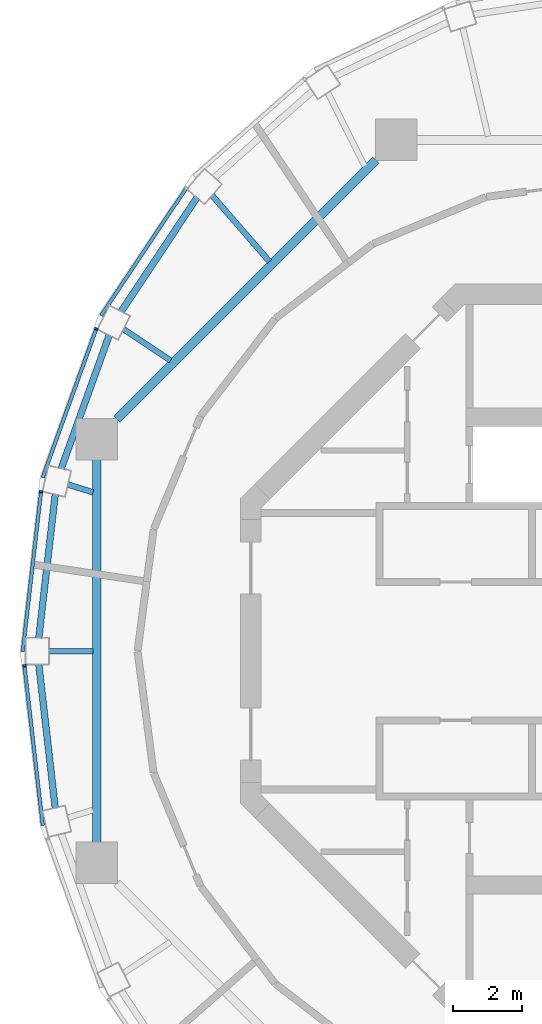
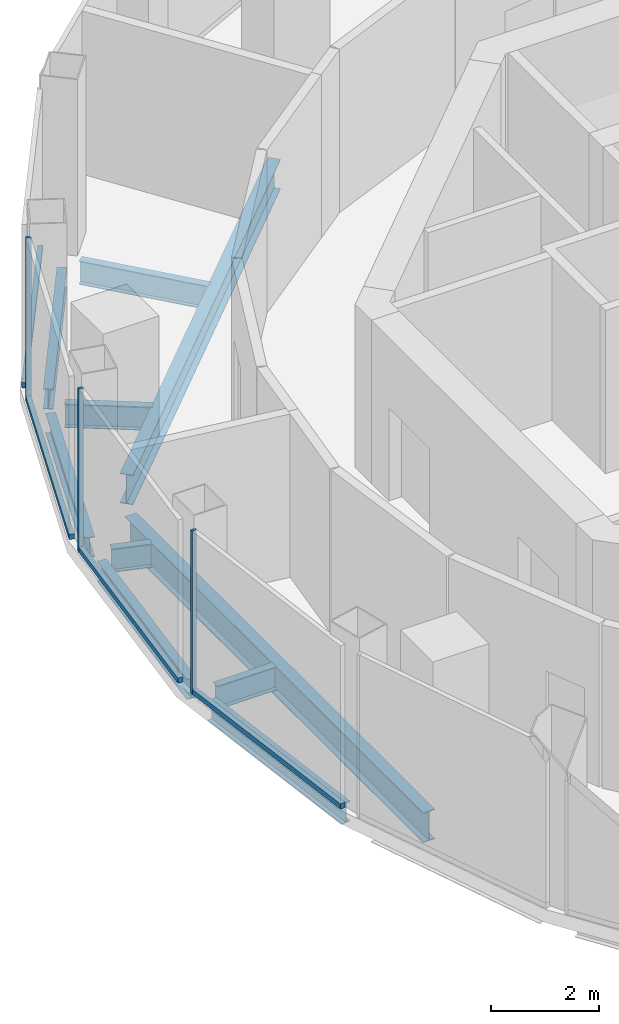
# One storey, part 4 of 12: 10 beams, 7 members, 4 elements without a shape of their own.
"""IFC4 building model written with IfcOpenShell, lengths in metres."""

from ifc_helpers import new_model, si_unit, direction, frame, origin, origin_2d, place, context, subcontext, project, spatial, rectangle, i_section, extrude, material, layer, layer_set, material_profile, profile_set, type_object, element, aggregate, save


model = new_model("IFC4")

# Units and contexts
model_context = context("Model", 3, precision=1e-05, world=origin(), true_north=direction((0.0, 1.0)))
body_context = subcontext(model_context, "Body", "Model", "MODEL_VIEW")
ifc_project = project(units=[si_unit("LENGTHUNIT", "METRE"), si_unit("AREAUNIT", "SQUARE_METRE"), si_unit("VOLUMEUNIT", "CUBIC_METRE"), si_unit("PLANEANGLEUNIT", "RADIAN"), si_unit("MASSUNIT", "GRAM", prefix="KILO")], contexts=[model_context])

# Site, building, storey
site_placement = place(None, origin())
site = spatial("IfcSite", under=ifc_project, at=site_placement, CompositionType="ELEMENT")
building_placement = place(site_placement, origin())
building = spatial("IfcBuilding", under=site, at=building_placement, Name="Nagisa Residences", CompositionType="ELEMENT")
storey_placement = place(building_placement, frame((0.0, 0.0, 328.89990234375)))
storey = spatial("IfcBuildingStorey", under=building, at=storey_placement, Name="L81", CompositionType="ELEMENT", Elevation=328.89990234375)

# Curtain wall, member
ifc_material_1 = material(Name="Aluminium curtain wall system", Category="aluminium")
ifc_layer = layer(ifc_material_1, 0.159912109375)
ifc_layer_set = layer_set([ifc_layer], Name="CW5 CURTAIN WALL")
curtain_wall_type = type_object("IfcCurtainWallType", Name="CW5 CURTAIN WALL", PredefinedType="NOTDEFINED", material=ifc_layer_set)
curtain_wall_1_placement = place(storey_placement, origin())
curtain_wall_1 = element("IfcCurtainWall", 1, at=curtain_wall_1_placement, inside=storey, type_object=curtain_wall_type, Name="cw:CW5:L81:10", PredefinedType="NOTDEFINED")
ifc_material_2 = material(Name="Aluminium", Category="aluminium")
ifc_material_profile_1 = material_profile(ifc_material_2, rectangle(XDim=0.10009765625, YDim=0.06005859375, at=origin_2d()), Name="CW5 MULLION 100x60")
ifc_profile_set_1 = profile_set([ifc_material_profile_1], Name="Aluminium")
member_type_1 = type_object("IfcMemberType", Name="CW5 MULLION 100x60", PredefinedType="MULLION", material=ifc_profile_set_1)
member_1_placement = place(storey_placement, frame((-14.793212890625, 9.318359375, 0.0), z_axis=(0.0, 0.0, 1.0), x_axis=(0.940554456033, -0.339642923136, 0.0)))
member_1 = element("IfcMember", 2, at=member_1_placement, type_object=member_type_1, Name="CW5 mullion", PredefinedType="MULLION", context=body_context, shape_type="SweptSolid", body=[
    extrude(rectangle(XDim=0.10009765625, YDim=0.06005859375, at=origin_2d()), origin(), (0.0, 0.0, 1.0), 3.7001953125),
])

curtain_wall_2_placement = place(storey_placement, origin())
curtain_wall_2 = element("IfcCurtainWall", 3, at=curtain_wall_2_placement, inside=storey, type_object=curtain_wall_type, Name="cw:CW5:L81:11", PredefinedType="NOTDEFINED")
member_2_placement = place(storey_placement, frame((-16.390380859375, 4.610595703125, 0.0), z_axis=(0.0, 0.0, 1.0), x_axis=(0.993477835048, -0.114025397474, 0.0)))
member_2 = element("IfcMember", 4, at=member_2_placement, type_object=member_type_1, Name="CW5 mullion", PredefinedType="MULLION", context=body_context, shape_type="SweptSolid", body=[
    extrude(rectangle(XDim=0.10009765625, YDim=0.06005859375, at=origin_2d()), origin(), (0.0, 0.0, 1.0), 3.7001953125),
])

curtain_wall_3_placement = place(storey_placement, origin())
curtain_wall_3 = element("IfcCurtainWall", 5, at=curtain_wall_3_placement, inside=storey, type_object=curtain_wall_type, Name="cw:CW5:L81:12", PredefinedType="NOTDEFINED")
member_3_placement = place(storey_placement, frame((-16.87158203125, -0.41796875, 0.0), z_axis=(0.0, 0.0, 1.0), x_axis=(0.993477835048, 0.114025397474, 0.0)))
member_3 = element("IfcMember", 6, at=member_3_placement, type_object=member_type_1, Name="CW5 mullion", PredefinedType="MULLION", context=body_context, shape_type="SweptSolid", body=[
    extrude(rectangle(XDim=0.10009765625, YDim=0.06005859375, at=origin_2d()), origin(), (0.0, 0.0, 1.0), 3.7001953125),
])

curtain_wall_4_placement = place(storey_placement, origin())
curtain_wall_4 = element("IfcCurtainWall", 7, at=curtain_wall_4_placement, inside=storey, type_object=curtain_wall_type, Name="cw:CW5:L81:09", PredefinedType="NOTDEFINED")
ifc_material_3 = material(Name="Aluminium", Category="aluminium")
ifc_material_profile_2 = material_profile(ifc_material_3, rectangle(XDim=0.10009765625, YDim=0.1201171875, at=origin_2d()), Name="CW5 TRANSOM 100x120")
ifc_profile_set_2 = profile_set([ifc_material_profile_2], Name="Aluminium")
member_type_2 = type_object("IfcMemberType", Name="CW5 TRANSOM 100x120", PredefinedType="USERDEFINED", material=ifc_profile_set_2)
member_4_placement = place(storey_placement, frame((-12.1767578125, 13.41162109375, 0.06005859375), z_axis=(-0.556026221044, -0.831164749921, 0.0), x_axis=(0.831164749921, -0.556026221044, 0.0)))
member_4 = element("IfcMember", 8, at=member_4_placement, type_object=member_type_2, Name="CW5 transom", ObjectType="TRANSOM", PredefinedType="USERDEFINED", context=body_context, shape_type="SweptSolid", body=[
    extrude(rectangle(XDim=0.10009765625, YDim=0.1201171875, at=origin_2d()), origin(), (0.0, 0.0, 1.0), 4.458984375),
])
aggregate(curtain_wall_4, [member_4])

# Member
member_5_placement = place(storey_placement, frame((-14.782958984375, 9.3466796875, 0.06005859375), z_axis=(-0.339645767878, -0.940553428766, 0.0), x_axis=(0.940553428766, -0.339645767878, 0.0)))
member_5 = element("IfcMember", 9, at=member_5_placement, type_object=member_type_2, Name="CW5 transom", ObjectType="TRANSOM", PredefinedType="USERDEFINED", context=body_context, shape_type="SweptSolid", body=[
    extrude(rectangle(XDim=0.10009765625, YDim=0.1201171875, at=origin_2d()), origin(), (0.0, 0.0, 1.0), 4.600341796875),
])

aggregate(curtain_wall_1, [member_1, member_5])

member_6_placement = place(storey_placement, frame((-16.386962890625, 4.640380859375, 0.06005859375), z_axis=(-0.11398649568, -0.993482299189, 0.0), x_axis=(0.993482299189, -0.11398649568, 0.0)))
member_6 = element("IfcMember", 10, at=member_6_placement, type_object=member_type_2, Name="CW5 transom", ObjectType="TRANSOM", PredefinedType="USERDEFINED", context=body_context, shape_type="SweptSolid", body=[
    extrude(rectangle(XDim=0.10009765625, YDim=0.1201171875, at=origin_2d()), origin(), (0.0, 0.0, 1.0), 4.679931640625),
])

aggregate(curtain_wall_2, [member_2, member_6])

member_7_placement = place(storey_placement, frame((-16.875, -0.38818359375, 0.06005859375), z_axis=(0.114032075188, -0.993477068597, 0.0), x_axis=(0.993477068597, 0.114032075188, 0.0)))
member_7 = element("IfcMember", 11, at=member_7_placement, type_object=member_type_2, Name="CW5 transom", ObjectType="TRANSOM", PredefinedType="USERDEFINED", context=body_context, shape_type="SweptSolid", body=[
    extrude(rectangle(XDim=0.10009765625, YDim=0.1201171875, at=origin_2d()), origin(), (0.0, 0.0, 1.0), 4.68017578125),
])

aggregate(curtain_wall_3, [member_3, member_7])

# Beams
ifc_material_4 = material(Name="Steel ASTM A572 Gr 50", Category="steel")
ifc_material_profile_3 = material_profile(ifc_material_4, i_section(OverallWidth=0.2529296875, OverallDepth=0.677978515625, WebThickness=0.01171875, FlangeThickness=0.016357421875, at=origin_2d()), Name="W690x125")
ifc_profile_set_3 = profile_set([ifc_material_profile_3], Name="Steel ASTM A572 Gr 50")
beam_type_1 = type_object("IfcBeamType", Name="Inner ring beam W690x125", PredefinedType="BEAM", material=ifc_profile_set_3)
beam_1_placement = place(storey_placement, frame((-6.708740234375, 14.1962890625, -0.638916015625), z_axis=(-0.707106781187, -0.707106781187, 0.0), x_axis=(0.707106781187, -0.707106781187, 0.0)))
element("IfcBeam", 12, at=beam_1_placement, inside=storey, type_object=beam_type_1, Name="beam:L81:ib3", PredefinedType="BEAM", context=body_context, shape_type="SweptSolid", body=[
    extrude(i_section(OverallWidth=0.2529296875, OverallDepth=0.677978515625, WebThickness=0.01171875, FlangeThickness=0.016357421875, at=origin_2d()), origin(), (0.0, 0.0, 1.0), 10.589111328125),
])
beam_2_placement = place(storey_placement, frame((-14.781982421875, 5.54296875, -0.638916015625), z_axis=(0.0, -1.0, 0.0), x_axis=(1.0, 0.0, 0.0)))
element("IfcBeam", 13, at=beam_2_placement, inside=storey, type_object=beam_type_1, Name="beam:L81:ib4", PredefinedType="BEAM", context=body_context, shape_type="SweptSolid", body=[
    extrude(i_section(OverallWidth=0.2529296875, OverallDepth=0.677978515625, WebThickness=0.01171875, FlangeThickness=0.016357421875, at=origin_2d()), origin(), (0.0, 0.0, 1.0), 11.0859375),
])
ifc_material_5 = material(Name="Steel ASTM A572 Gr 50", Category="steel")
ifc_material_profile_4 = material_profile(ifc_material_5, i_section(OverallWidth=0.18994140625, OverallDepth=0.45703125, WebThickness=0.009033203125, FlangeThickness=0.014404296875, at=origin_2d()), Name="W460x74")
ifc_profile_set_4 = profile_set([ifc_material_profile_4], Name="Steel ASTM A572 Gr 50")
beam_type_2 = type_object("IfcBeamType", Name="Perimeter ring beam W460x74", PredefinedType="BEAM", material=ifc_profile_set_4)
beam_3_placement = place(storey_placement, frame((-11.8798828125, 13.115966796875, -0.5283203125), z_axis=(-0.554529560082, -0.832164026497, 0.0), x_axis=(0.832164026497, -0.554529560082, 0.0)))
element("IfcBeam", 14, at=beam_3_placement, inside=storey, type_object=beam_type_2, Name="beam:L81:pb10", PredefinedType="BEAM", context=body_context, shape_type="SweptSolid", body=[
    extrude(i_section(OverallWidth=0.18994140625, OverallDepth=0.45703125, WebThickness=0.009033203125, FlangeThickness=0.014404296875, at=origin_2d()), origin(), (0.0, 0.0, 1.0), 3.96240234375),
])
beam_4_placement = place(storey_placement, frame((-14.4189453125, 9.1396484375, -0.5283203125), z_axis=(-0.338517252251, -0.940960185092, 0.0), x_axis=(0.940960185092, -0.338517252251, 0.0)))
element("IfcBeam", 15, at=beam_4_placement, inside=storey, type_object=beam_type_2, Name="beam:L81:pb11", PredefinedType="BEAM", context=body_context, shape_type="SweptSolid", body=[
    extrude(i_section(OverallWidth=0.18994140625, OverallDepth=0.45703125, WebThickness=0.009033203125, FlangeThickness=0.014404296875, at=origin_2d()), origin(), (0.0, 0.0, 1.0), 4.1044921875),
])
for number, where, z_axis, x_axis, name in (
    (16, (-15.981201171875, 4.537353515625, -0.5283203125), (-0.113600894263, -0.993526465084, 0.0), (0.993526465084, -0.113600894263, 0.0), "beam:L81:pb12"),
    (17, (-16.45654296875, -0.380126953125, -0.5283203125), (0.113600894263, -0.993526465084, 0.0), (0.993526465084, 0.113600894263, 0.0), "beam:L81:pb13"),
):
    element("IfcBeam", number, at=place(storey_placement, frame(where, z_axis=z_axis, x_axis=x_axis)), inside=storey, type_object=beam_type_2, Name=name, PredefinedType="BEAM", context=body_context, shape_type="SweptSolid", body=[
        extrude(i_section(OverallWidth=0.18994140625, OverallDepth=0.45703125, WebThickness=0.009033203125, FlangeThickness=0.014404296875, at=origin_2d()), origin(), (0.0, 0.0, 1.0), 4.184326171875),
    ])
ifc_material_6 = material(Name="Steel ASTM A572 Gr 50", Category="steel")
ifc_material_profile_5 = material_profile(ifc_material_6, i_section(OverallWidth=0.166015625, OverallDepth=0.534912109375, WebThickness=0.01025390625, FlangeThickness=0.0166015625, at=origin_2d()), Name="W530x85")
ifc_profile_set_5 = profile_set([ifc_material_profile_5], Name="Steel ASTM A572 Gr 50")
beam_type_3 = type_object("IfcBeamType", Name="Radial beam W530x85", PredefinedType="BEAM", material=ifc_profile_set_5)
beam_5_placement = place(storey_placement, frame((-11.44873046875, 13.183349609375, -0.5673828125), z_axis=(0.655718438616, -0.755005516045, 0.0), x_axis=(0.755005516045, 0.655718438616, 0.0)))
element("IfcBeam", 18, at=beam_5_placement, inside=storey, type_object=beam_type_3, Name="beam:L81:rb10", PredefinedType="BEAM", context=body_context, shape_type="SweptSolid", body=[
    extrude(i_section(OverallWidth=0.166015625, OverallDepth=0.534912109375, WebThickness=0.01025390625, FlangeThickness=0.0166015625, at=origin_2d()), origin(), (0.0, 0.0, 1.0), 2.53515625),
])
beam_6_placement = place(storey_placement, frame((-14.012451171875, 9.31591796875, -0.5673828125), z_axis=(0.832714310154, -0.553702878505, 0.0), x_axis=(0.553702878505, 0.832714310154, 0.0)))
element("IfcBeam", 19, at=beam_6_placement, inside=storey, type_object=beam_type_3, Name="beam:L81:rb11", PredefinedType="BEAM", context=body_context, shape_type="SweptSolid", body=[
    extrude(i_section(OverallWidth=0.166015625, OverallDepth=0.534912109375, WebThickness=0.01025390625, FlangeThickness=0.0166015625, at=origin_2d()), origin(), (0.0, 0.0, 1.0), 1.638916015625),
])
beam_7_placement = place(storey_placement, frame((-15.62158203125, 4.820068359375, -0.5673828125), z_axis=(0.955489220567, -0.295026014753, 0.0), x_axis=(0.295026014753, 0.955489220567, 0.0)))
element("IfcBeam", 20, at=beam_7_placement, inside=storey, type_object=beam_type_3, Name="beam:L81:rb12", PredefinedType="BEAM", context=body_context, shape_type="SweptSolid", body=[
    extrude(i_section(OverallWidth=0.166015625, OverallDepth=0.534912109375, WebThickness=0.01025390625, FlangeThickness=0.0166015625, at=origin_2d()), origin(), (0.0, 0.0, 1.0), 0.766357421875),
])
beam_8_placement = place(storey_placement, frame((-16.169921875, 0.0, -0.5673828125), z_axis=(1.0, 0.0, 0.0), x_axis=(0.0, 1.0, 0.0)))
element("IfcBeam", 21, at=beam_8_placement, inside=storey, type_object=beam_type_3, Name="beam:L81:rb13", PredefinedType="BEAM", context=body_context, shape_type="SweptSolid", body=[
    extrude(i_section(OverallWidth=0.166015625, OverallDepth=0.534912109375, WebThickness=0.01025390625, FlangeThickness=0.0166015625, at=origin_2d()), origin(), (0.0, 0.0, 1.0), 1.28125),
])

save(model, "model.ifc")
